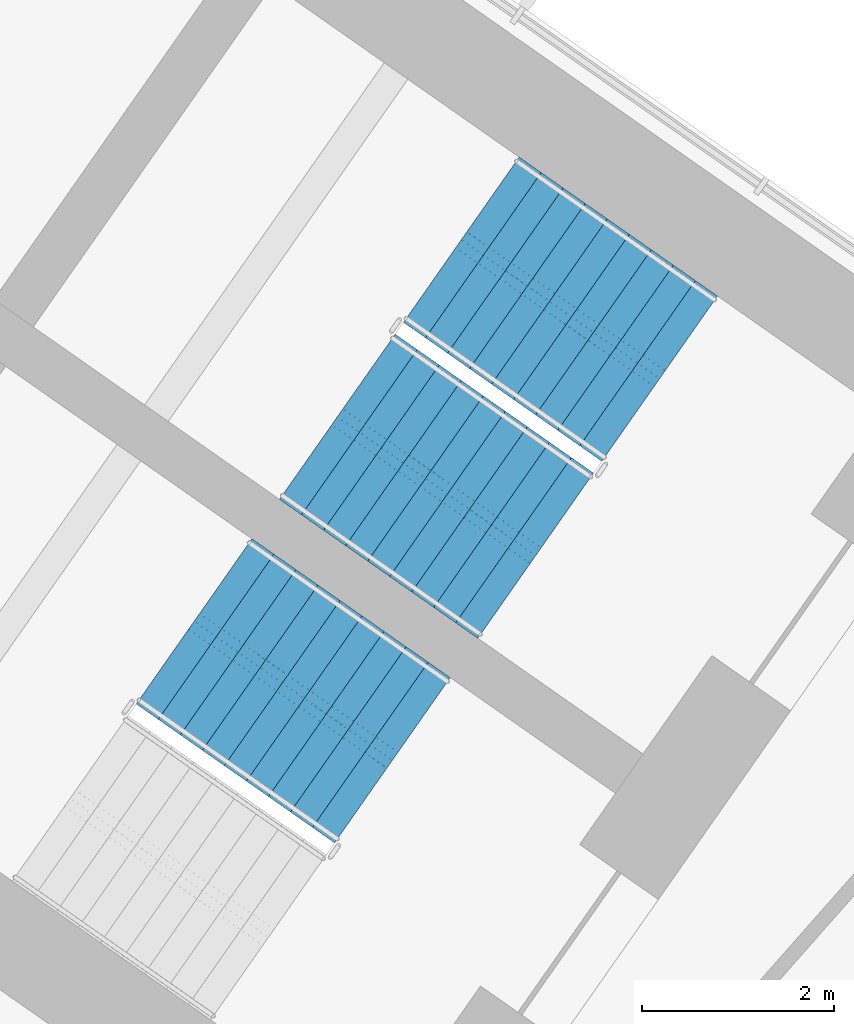
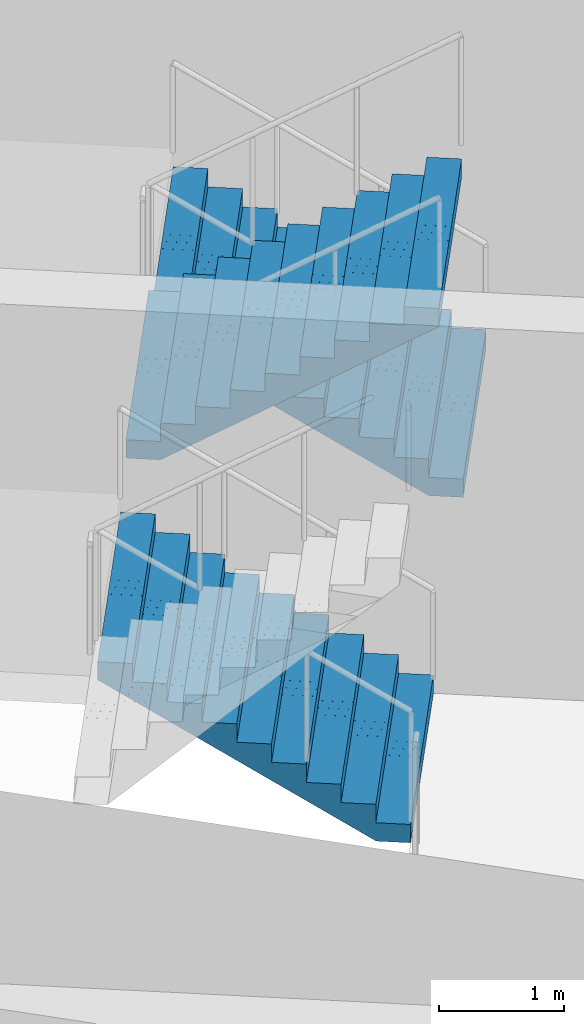
# One storey, part 17 of 23: 3 stair flights, 2 elements without a shape of their own.
"""IFC4 building model written with IfcOpenShell, lengths in metres."""

from ifc_helpers import new_model, si_unit, direction, frame, origin, place, context, subcontext, project, spatial, polyline, outline, extrude, material, type_object, element, aggregate, save


model = new_model("IFC4")

# Units and contexts
model_context = context("Model", 3, precision=1e-05, world=origin(), true_north=direction((0.0, 1.0)))
body_context = subcontext(model_context, "Body", "Model", "MODEL_VIEW")
ifc_project = project(units=[si_unit("LENGTHUNIT", "METRE"), si_unit("AREAUNIT", "SQUARE_METRE"), si_unit("VOLUMEUNIT", "CUBIC_METRE"), si_unit("PLANEANGLEUNIT", "RADIAN"), si_unit("MASSUNIT", "GRAM", prefix="KILO")], contexts=[model_context])

# Site, building, storey
site_placement = place(None, origin())
site = spatial("IfcSite", under=ifc_project, at=site_placement, CompositionType="ELEMENT")
building_placement = place(site_placement, origin())
building = spatial("IfcBuilding", under=site, at=building_placement, Name="Tel Ilan Convention Tower", CompositionType="ELEMENT")
storey_placement = place(building_placement, frame((0.0, 0.0, 119.300048828125)))
storey = spatial("IfcBuildingStorey", under=building, at=storey_placement, Name="L26", CompositionType="ELEMENT", Elevation=119.300048828125)

# Stair, stair flights
ifc_material_1 = material(Name="Concrete C40/50", Category="concrete")
stair_type = type_object("IfcStairType", Name="Pressurised Exit Stair 20 risers 180 mm", PredefinedType="HALF_TURN_STAIR", material=ifc_material_1)
stair_1_placement = place(storey_placement, origin())
stair_1 = element("IfcStair", 1, at=stair_1_placement, inside=storey, type_object=stair_type, Name="L26 Pressurised Stair S3", PredefinedType="HALF_TURN_STAIR")
ifc_material_2 = material(Name="Precast Concrete C40/50", Category="concrete")
stair_flight_type = type_object("IfcStairFlightType", Name="Concrete Stair Flight 2100 mm 20 risers 180 mm", PredefinedType="STRAIGHT", material=ifc_material_2)
stair_flight_1_placement = place(storey_placement, frame((24.25244140625, -7.032470703125, 0.0), z_axis=(0.0, 0.0, 1.0), x_axis=(-0.819152044289, 0.573576436351, 0.0)))
stair_flight_1 = element("IfcStairFlight", 2, at=stair_flight_1_placement, type_object=stair_flight_type, Name="S3 flight 1", NumberOfRisers=10, NumberOfTreads=9, PredefinedType="STRAIGHT", RiserHeight=0.18, TreadLength=0.28, context=body_context, shape_type="SweptSolid", body=[
    extrude(outline(polyline([(0.0, 0.0), (0.0, 0.179931640625), (0.280029296875, 0.179931640625), (0.280029296875, 0.360107421875), (0.56005859375, 0.360107421875), (0.56005859375, 0.5400390625), (0.840087890625, 0.5400390625), (0.840087890625, 0.719970703125), (1.1201171875, 0.719970703125), (1.1201171875, 0.89990234375), (1.39990234375, 0.89990234375), (1.39990234375, 1.080078125), (1.679931640625, 1.080078125), (1.679931640625, 1.260009765625), (1.9599609375, 1.260009765625), (1.9599609375, 1.43994140625), (2.239990234375, 1.43994140625), (2.239990234375, 1.6201171875), (2.52001953125, 1.6201171875), (2.52001953125, 1.800048828125), (2.52001953125, 1.44189453125), (0.277099609375, 0.0), (0.0, 0.0)])), frame((0.0, -0.100341796875, 0.0), z_axis=(0.0, -1.0, 0.0), x_axis=(1.0, 0.0, 0.0)), (0.0, 0.0, 1.0), 0.94970703125),
    extrude(outline(polyline([(0.0, 0.0), (0.0, 0.179931640625), (0.280029296875, 0.179931640625), (0.280029296875, 0.360107421875), (0.56005859375, 0.360107421875), (0.56005859375, 0.5400390625), (0.840087890625, 0.5400390625), (0.840087890625, 0.719970703125), (1.1201171875, 0.719970703125), (1.1201171875, 0.89990234375), (1.39990234375, 0.89990234375), (1.39990234375, 1.080078125), (1.679931640625, 1.080078125), (1.679931640625, 1.260009765625), (1.9599609375, 1.260009765625), (1.9599609375, 1.43994140625), (2.239990234375, 1.43994140625), (2.239990234375, 1.6201171875), (2.52001953125, 1.6201171875), (2.52001953125, 1.800048828125), (2.52001953125, 1.44189453125), (0.277099609375, 0.0), (0.0, 0.0)])), frame((0.0, -0.000244140625, 0.0), z_axis=(0.0, -1.0, 0.0), x_axis=(1.0, 0.0, 0.0)), (0.0, 0.0, 1.0), 0.099609375),
    extrude(outline(polyline([(0.0, 0.0), (0.0, 0.179931640625), (0.280029296875, 0.179931640625), (0.280029296875, 0.360107421875), (0.56005859375, 0.360107421875), (0.56005859375, 0.5400390625), (0.840087890625, 0.5400390625), (0.840087890625, 0.719970703125), (1.1201171875, 0.719970703125), (1.1201171875, 0.89990234375), (1.39990234375, 0.89990234375), (1.39990234375, 1.080078125), (1.679931640625, 1.080078125), (1.679931640625, 1.260009765625), (1.9599609375, 1.260009765625), (1.9599609375, 1.43994140625), (2.239990234375, 1.43994140625), (2.239990234375, 1.6201171875), (2.52001953125, 1.6201171875), (2.52001953125, 1.800048828125), (2.52001953125, 1.44189453125), (0.277099609375, 0.0), (0.0, 0.0)])), frame((0.0, 0.099853515625, 0.0), z_axis=(0.0, -1.0, 0.0), x_axis=(1.0, 0.0, 0.0)), (0.0, 0.0, 1.0), 0.099609375),
    extrude(outline(polyline([(0.0, 0.0), (0.0, 0.179931640625), (0.280029296875, 0.179931640625), (0.280029296875, 0.360107421875), (0.56005859375, 0.360107421875), (0.56005859375, 0.5400390625), (0.840087890625, 0.5400390625), (0.840087890625, 0.719970703125), (1.1201171875, 0.719970703125), (1.1201171875, 0.89990234375), (1.39990234375, 0.89990234375), (1.39990234375, 1.080078125), (1.679931640625, 1.080078125), (1.679931640625, 1.260009765625), (1.9599609375, 1.260009765625), (1.9599609375, 1.43994140625), (2.239990234375, 1.43994140625), (2.239990234375, 1.6201171875), (2.52001953125, 1.6201171875), (2.52001953125, 1.800048828125), (2.52001953125, 1.44189453125), (0.277099609375, 0.0), (0.0, 0.0)])), frame((0.0, 1.050048828125, 0.0), z_axis=(0.0, -1.0, 0.0), x_axis=(1.0, 0.0, 0.0)), (0.0, 0.0, 1.0), 0.94970703125),
])
stair_flight_2_placement = place(storey_placement, frame((20.8974609375, -7.43017578125, 1.800048828125), z_axis=(0.0, 0.0, 1.0), x_axis=(0.819152044289, -0.573576436351, 0.0)))
stair_flight_2 = element("IfcStairFlight", 3, at=stair_flight_2_placement, type_object=stair_flight_type, Name="S3 flight 2", NumberOfRisers=10, NumberOfTreads=9, PredefinedType="STRAIGHT", RiserHeight=0.18, TreadLength=0.28, context=body_context, shape_type="SweptSolid", body=[
    extrude(outline(polyline([(0.0, 0.0), (0.0, 0.179931640625), (0.280029296875, 0.179931640625), (0.280029296875, 0.360107421875), (0.56005859375, 0.360107421875), (0.56005859375, 0.5400390625), (0.840087890625, 0.5400390625), (0.840087890625, 0.719970703125), (1.1201171875, 0.719970703125), (1.1201171875, 0.89990234375), (1.39990234375, 0.89990234375), (1.39990234375, 1.080078125), (1.679931640625, 1.080078125), (1.679931640625, 1.260009765625), (1.9599609375, 1.260009765625), (1.9599609375, 1.43994140625), (2.239990234375, 1.43994140625), (2.239990234375, 1.6201171875), (2.52001953125, 1.6201171875), (2.52001953125, 1.800048828125), (2.52001953125, 1.44189453125), (0.277099609375, 0.0), (0.0, 0.0)])), frame((0.0, -0.100341796875, 0.0), z_axis=(0.0, -1.0, 0.0), x_axis=(1.0, 0.0, 0.0)), (0.0, 0.0, 1.0), 0.94970703125),
    extrude(outline(polyline([(0.0, 0.0), (0.0, 0.179931640625), (0.280029296875, 0.179931640625), (0.280029296875, 0.360107421875), (0.56005859375, 0.360107421875), (0.56005859375, 0.5400390625), (0.840087890625, 0.5400390625), (0.840087890625, 0.719970703125), (1.1201171875, 0.719970703125), (1.1201171875, 0.89990234375), (1.39990234375, 0.89990234375), (1.39990234375, 1.080078125), (1.679931640625, 1.080078125), (1.679931640625, 1.260009765625), (1.9599609375, 1.260009765625), (1.9599609375, 1.43994140625), (2.239990234375, 1.43994140625), (2.239990234375, 1.6201171875), (2.52001953125, 1.6201171875), (2.52001953125, 1.800048828125), (2.52001953125, 1.44189453125), (0.277099609375, 0.0), (0.0, 0.0)])), frame((0.0, -0.000244140625, 0.0), z_axis=(0.0, -1.0, 0.0), x_axis=(1.0, 0.0, 0.0)), (0.0, 0.0, 1.0), 0.099609375),
    extrude(outline(polyline([(0.0, 0.0), (0.0, 0.179931640625), (0.280029296875, 0.179931640625), (0.280029296875, 0.360107421875), (0.56005859375, 0.360107421875), (0.56005859375, 0.5400390625), (0.840087890625, 0.5400390625), (0.840087890625, 0.719970703125), (1.1201171875, 0.719970703125), (1.1201171875, 0.89990234375), (1.39990234375, 0.89990234375), (1.39990234375, 1.080078125), (1.679931640625, 1.080078125), (1.679931640625, 1.260009765625), (1.9599609375, 1.260009765625), (1.9599609375, 1.43994140625), (2.239990234375, 1.43994140625), (2.239990234375, 1.6201171875), (2.52001953125, 1.6201171875), (2.52001953125, 1.800048828125), (2.52001953125, 1.44189453125), (0.277099609375, 0.0), (0.0, 0.0)])), frame((0.0, 0.099853515625, 0.0), z_axis=(0.0, -1.0, 0.0), x_axis=(1.0, 0.0, 0.0)), (0.0, 0.0, 1.0), 0.099609375),
    extrude(outline(polyline([(0.0, 0.0), (0.0, 0.179931640625), (0.280029296875, 0.179931640625), (0.280029296875, 0.360107421875), (0.56005859375, 0.360107421875), (0.56005859375, 0.5400390625), (0.840087890625, 0.5400390625), (0.840087890625, 0.719970703125), (1.1201171875, 0.719970703125), (1.1201171875, 0.89990234375), (1.39990234375, 0.89990234375), (1.39990234375, 1.080078125), (1.679931640625, 1.080078125), (1.679931640625, 1.260009765625), (1.9599609375, 1.260009765625), (1.9599609375, 1.43994140625), (2.239990234375, 1.43994140625), (2.239990234375, 1.6201171875), (2.52001953125, 1.6201171875), (2.52001953125, 1.800048828125), (2.52001953125, 1.44189453125), (0.277099609375, 0.0), (0.0, 0.0)])), frame((0.0, 1.050048828125, 0.0), z_axis=(0.0, -1.0, 0.0), x_axis=(1.0, 0.0, 0.0)), (0.0, 0.0, 1.0), 0.94970703125),
])
aggregate(stair_1, [stair_flight_1, stair_flight_2])

# Stair, stair flight
stair_2_placement = place(storey_placement, origin())
stair_2 = element("IfcStair", 4, at=stair_2_placement, inside=storey, type_object=stair_type, Name="L26 Pressurised Stair S4", PredefinedType="HALF_TURN_STAIR")
stair_flight_3_placement = place(storey_placement, frame((21.470458984375, -11.00537109375, 0.0), z_axis=(0.0, 0.0, 1.0), x_axis=(-0.819152044289, 0.573576436351, 0.0)))
stair_flight_3 = element("IfcStairFlight", 5, at=stair_flight_3_placement, type_object=stair_flight_type, Name="S4 flight 1", NumberOfRisers=10, NumberOfTreads=9, PredefinedType="STRAIGHT", RiserHeight=0.18, TreadLength=0.28, context=body_context, shape_type="SweptSolid", body=[
    extrude(outline(polyline([(0.0, 0.0), (0.0, 0.179931640625), (0.280029296875, 0.179931640625), (0.280029296875, 0.360107421875), (0.56005859375, 0.360107421875), (0.56005859375, 0.5400390625), (0.840087890625, 0.5400390625), (0.840087890625, 0.719970703125), (1.1201171875, 0.719970703125), (1.1201171875, 0.89990234375), (1.39990234375, 0.89990234375), (1.39990234375, 1.080078125), (1.679931640625, 1.080078125), (1.679931640625, 1.260009765625), (1.9599609375, 1.260009765625), (1.9599609375, 1.43994140625), (2.239990234375, 1.43994140625), (2.239990234375, 1.6201171875), (2.52001953125, 1.6201171875), (2.52001953125, 1.800048828125), (2.52001953125, 1.44189453125), (0.277099609375, 0.0), (0.0, 0.0)])), frame((0.0, -0.100341796875, 0.0), z_axis=(0.0, -1.0, 0.0), x_axis=(1.0, 0.0, 0.0)), (0.0, 0.0, 1.0), 0.94970703125),
    extrude(outline(polyline([(0.0, 0.0), (0.0, 0.179931640625), (0.280029296875, 0.179931640625), (0.280029296875, 0.360107421875), (0.56005859375, 0.360107421875), (0.56005859375, 0.5400390625), (0.840087890625, 0.5400390625), (0.840087890625, 0.719970703125), (1.1201171875, 0.719970703125), (1.1201171875, 0.89990234375), (1.39990234375, 0.89990234375), (1.39990234375, 1.080078125), (1.679931640625, 1.080078125), (1.679931640625, 1.260009765625), (1.9599609375, 1.260009765625), (1.9599609375, 1.43994140625), (2.239990234375, 1.43994140625), (2.239990234375, 1.6201171875), (2.52001953125, 1.6201171875), (2.52001953125, 1.800048828125), (2.52001953125, 1.44189453125), (0.277099609375, 0.0), (0.0, 0.0)])), frame((0.0, -0.000244140625, 0.0), z_axis=(0.0, -1.0, 0.0), x_axis=(1.0, 0.0, 0.0)), (0.0, 0.0, 1.0), 0.099609375),
    extrude(outline(polyline([(0.0, 0.0), (0.0, 0.179931640625), (0.280029296875, 0.179931640625), (0.280029296875, 0.360107421875), (0.56005859375, 0.360107421875), (0.56005859375, 0.5400390625), (0.840087890625, 0.5400390625), (0.840087890625, 0.719970703125), (1.1201171875, 0.719970703125), (1.1201171875, 0.89990234375), (1.39990234375, 0.89990234375), (1.39990234375, 1.080078125), (1.679931640625, 1.080078125), (1.679931640625, 1.260009765625), (1.9599609375, 1.260009765625), (1.9599609375, 1.43994140625), (2.239990234375, 1.43994140625), (2.239990234375, 1.6201171875), (2.52001953125, 1.6201171875), (2.52001953125, 1.800048828125), (2.52001953125, 1.44189453125), (0.277099609375, 0.0), (0.0, 0.0)])), frame((0.0, 0.099853515625, 0.0), z_axis=(0.0, -1.0, 0.0), x_axis=(1.0, 0.0, 0.0)), (0.0, 0.0, 1.0), 0.099609375),
    extrude(outline(polyline([(0.0, 0.0), (0.0, 0.179931640625), (0.280029296875, 0.179931640625), (0.280029296875, 0.360107421875), (0.56005859375, 0.360107421875), (0.56005859375, 0.5400390625), (0.840087890625, 0.5400390625), (0.840087890625, 0.719970703125), (1.1201171875, 0.719970703125), (1.1201171875, 0.89990234375), (1.39990234375, 0.89990234375), (1.39990234375, 1.080078125), (1.679931640625, 1.080078125), (1.679931640625, 1.260009765625), (1.9599609375, 1.260009765625), (1.9599609375, 1.43994140625), (2.239990234375, 1.43994140625), (2.239990234375, 1.6201171875), (2.52001953125, 1.6201171875), (2.52001953125, 1.800048828125), (2.52001953125, 1.44189453125), (0.277099609375, 0.0), (0.0, 0.0)])), frame((0.0, 1.050048828125, 0.0), z_axis=(0.0, -1.0, 0.0), x_axis=(1.0, 0.0, 0.0)), (0.0, 0.0, 1.0), 0.94970703125),
])
aggregate(stair_2, [stair_flight_3])

save(model, "model.ifc")
